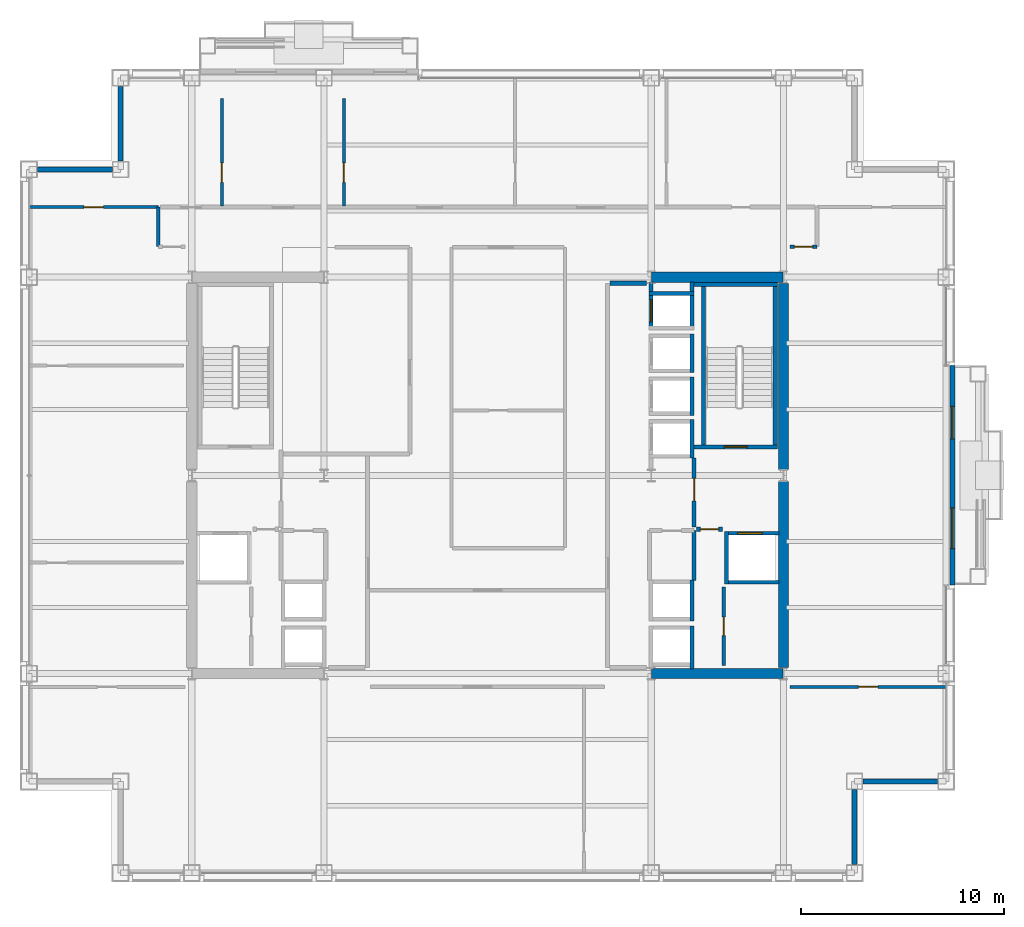
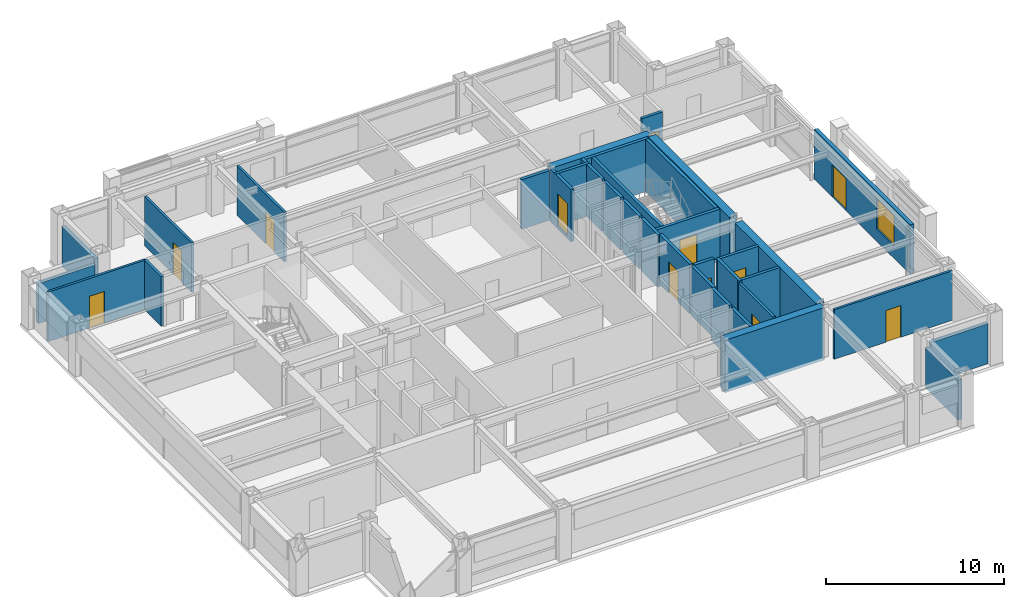
# One storey, part 26 of 29: 35 walls, 12 doors, 1 window, 13 openings.
"""IFC4 building model written with IfcOpenShell, lengths in metres."""

from ifc_helpers import new_model, si_unit, direction, frame, frame_2d, origin, place, context, subcontext, project, spatial, rectangle, extrude, material, layer, layer_set, type_object, element, fill, save


model = new_model("IFC4")

# Units and contexts
model_context = context("Model", 3, precision=1e-05, world=origin(), true_north=direction((0.0, 1.0)))
body_context = subcontext(model_context, "Body", "Model", "MODEL_VIEW")
ifc_project = project(units=[si_unit("LENGTHUNIT", "METRE"), si_unit("AREAUNIT", "SQUARE_METRE"), si_unit("VOLUMEUNIT", "CUBIC_METRE"), si_unit("PLANEANGLEUNIT", "RADIAN"), si_unit("MASSUNIT", "GRAM", prefix="KILO")], contexts=[model_context])

# Site, building, storey
site_placement = place(None, origin())
site = spatial("IfcSite", under=ifc_project, at=site_placement, CompositionType="ELEMENT")
building_placement = place(site_placement, origin())
building = spatial("IfcBuilding", under=site, at=building_placement, Name="Brelmoor Portico Tower", CompositionType="ELEMENT")
storey_placement = place(building_placement, frame((0.0, 0.0, 138.60009765625)))
storey = spatial("IfcBuildingStorey", under=building, at=storey_placement, Name="L36", CompositionType="ELEMENT", Elevation=138.60009765625)

# Walls
ifc_material_1 = material(Name="Concrete C60", Category="concrete")
ifc_layer_1 = layer(ifc_material_1, 0.5)
ifc_layer_set_1 = layer_set([ifc_layer_1], Name="Concrete C60")
wall_type_1 = type_object("IfcWallType", Name="WL-CORE-500", PredefinedType="SHEAR", material=ifc_layer_set_1)
for number, where, z_axis, x_axis, name in (
    (1, (8.070068359375, -9.75, -0.2001953125), (0.0, 0.0, 1.0), (1.0, 0.0, 0.0), "L36 EC South Shear Wall"),
    (2, (8.070068359375, 9.75, -0.2001953125), (0.0, 0.0, 1.0), (1.0, 0.0, 0.0), "L36 EC North Shear Wall"),
):
    element("IfcWall", number, at=place(storey_placement, frame(where, z_axis=z_axis, x_axis=x_axis)), inside=storey, type_object=wall_type_1, Name=name, PredefinedType="SHEAR", context=body_context, shape_type="SweptSolid", body=[
        extrude(rectangle(XDim=6.4599609375, YDim=0.5, at=frame_2d((3.22998046875, 0.0))), origin(), (0.0, 0.0, 1.0), 3.60009765625),
    ])
for number, where, z_axis, x_axis, name in (
    (3, (14.550048828125, -9.449951171875, -0.2001953125), (0.0, 0.0, 1.0), (0.0, 1.0, 0.0), "L36 EC Outer South Shear Wall"),
    (4, (14.550048828125, 0.300048828125, -0.2001953125), (0.0, 0.0, 1.0), (0.0, 1.0, 0.0), "L36 EC Outer North Shear Wall"),
):
    element("IfcWall", number, at=place(storey_placement, frame(where, z_axis=z_axis, x_axis=x_axis)), inside=storey, type_object=wall_type_1, Name=name, PredefinedType="SHEAR", context=body_context, shape_type="SweptSolid", body=[
        extrude(rectangle(XDim=9.14990234375, YDim=0.5, at=frame_2d((4.574951171875, 0.0))), origin(), (0.0, 0.0, 1.0), 3.60009765625),
    ])

# Wall, openings, door, window
ifc_material_2 = material(Name="Precast Concrete C40 Insulated Facade Wall", Category="concrete")
ifc_layer_2 = layer(ifc_material_2, 0.25)
ifc_layer_set_2 = layer_set([ifc_layer_2], Name="Precast Concrete C40 Insulated Facade Wall")
wall_type_2 = type_object("IfcWallType", Name="WL-EXT-250", PredefinedType="STANDARD", material=ifc_layer_set_2)
wall_1_placement = place(storey_placement, frame((22.860107421875, -5.39990234375, 0.0), z_axis=(0.0, 0.0, 1.0), x_axis=(0.0, 1.0, 0.0)))
wall_1 = element("IfcWall", 5, at=wall_1_placement, inside=storey, type_object=wall_type_2, Name="L36 Loggia Threshold Wall E-1", PredefinedType="STANDARD", context=body_context, shape_type="SweptSolid", body=[
    extrude(rectangle(XDim=10.7998046875, YDim=0.25, at=frame_2d((5.39990234375, 0.0))), origin(), (0.0, 0.0, 1.0), 3.39990234375),
])
opening_1_placement = place(wall_1_placement, frame((7.199951171875, 0.0, 0.0)))
opening_1 = element("IfcOpeningElement", 6, at=opening_1_placement, cuts=wall_1, Name="Opening D-TB1", PredefinedType="OPENING", context=body_context, shape_type="SweptSolid", body=[
    extrude(rectangle(XDim=1.60009765625, YDim=2.199951171875, at=frame_2d((0.800048828125, 1.10009765625))), frame((0.0, 0.135009765625, 0.0), z_axis=(0.0, -1.0, 0.0), x_axis=(1.0, 0.0, 0.0)), (0.0, 0.0, 1.0), 0.27001953125),
])
opening_2_placement = place(wall_1_placement, frame((1.800048828125, 0.0, 0.85009765625)))
opening_2 = element("IfcOpeningElement", 7, at=opening_2_placement, cuts=wall_1, Name="Opening W-03", PredefinedType="OPENING", context=body_context, shape_type="SweptSolid", body=[
    extrude(rectangle(XDim=2.0, YDim=2.10009765625, at=frame_2d((1.0, 1.050048828125))), frame((0.0, 0.135009765625, 0.0), z_axis=(0.0, -1.0, 0.0), x_axis=(1.0, 0.0, 0.0)), (0.0, 0.0, 1.0), 0.27001953125),
])
ifc_material_3 = material(Name="Double-Leaf Thermally Broken Terrace Door", Category="aluminium")
door_type_1 = type_object("IfcDoorType", Name="DR-BALCONY-1600", OperationType="NOTDEFINED", PredefinedType="DOOR", material=ifc_material_3)
door_1_placement = place(opening_1_placement, origin())
door_1 = element("IfcDoor", 8, at=door_1_placement, inside=storey, type_object=door_type_1, Name="D-1588 L36 Tree Balcony Double Door E", OperationType="DOUBLE_DOOR_SINGLE_SWING", OverallHeight=2.199951171875, OverallWidth=1.60009765625, PredefinedType="DOOR", context=body_context, shape_type="SweptSolid", body=[
    extrude(rectangle(XDim=1.60009765625, YDim=2.199951171875, at=frame_2d((0.800048828125, 1.10009765625))), frame((0.0, 0.02490234375, 0.0), z_axis=(0.0, -1.0, 0.0), x_axis=(1.0, 0.0, 0.0)), (0.0, 0.0, 1.0), 0.050048828125),
])
fill(opening_1, door_1)
ifc_material_4 = material(Name="Thermally Broken Aluminium Low-E Window", Category="aluminium")
window_type = type_object("IfcWindowType", Name="WN-LOGGIA-2000x2100", PartitioningType="SINGLE_PANEL", PredefinedType="WINDOW", material=ifc_material_4)
window_placement = place(opening_2_placement, origin())
window = element("IfcWindow", 9, at=window_placement, inside=storey, type_object=window_type, Name="L36 Loggia Window E", OverallHeight=2.10009765625, OverallWidth=2.0, PartitioningType="SINGLE_PANEL", PredefinedType="WINDOW", context=body_context, shape_type="SweptSolid", body=[
    extrude(rectangle(XDim=2.0, YDim=2.10009765625, at=frame_2d((1.0, 1.050048828125))), frame((0.0, 0.030029296875, 0.0), z_axis=(0.0, -1.0, 0.0), x_axis=(1.0, 0.0, 0.0)), (0.0, 0.0, 1.0), 0.06005859375),
])
fill(opening_2, window)

# Walls
for number, where, z_axis, x_axis, name in (
    (10, (18.4599609375, -15.050048828125, 0.0), (0.0, 0.0, 1.0), (1.0, 0.0, 0.0), "L36 Corner Notch Facade Wall NSEH1"),
    (11, (18.050048828125, -19.139892578125, 0.0), (0.0, 0.0, 1.0), (0.0, 1.0, 0.0), "L36 Corner Notch Facade Wall NSEV1"),
    (12, (-22.139892578125, 15.050048828125, 0.0), (0.0, 0.0, 1.0), (1.0, 0.0, 0.0), "L36 Corner Notch Facade Wall NNWH1"),
    (13, (-18.050048828125, 15.4599609375, 0.0), (0.0, 0.0, 1.0), (0.0, 1.0, 0.0), "L36 Corner Notch Facade Wall NNWV1"),
):
    element("IfcWall", number, at=place(storey_placement, frame(where, z_axis=z_axis, x_axis=x_axis)), inside=storey, type_object=wall_type_2, Name=name, PredefinedType="STANDARD", context=body_context, shape_type="SweptSolid", body=[
        extrude(rectangle(XDim=3.679931640625, YDim=0.25, at=frame_2d((1.83984375, 0.0))), origin(), (0.0, 0.0, 1.0), 2.75),
    ])

# Wall, opening, door
ifc_material_5 = material(Name="Wet-Area Moisture-Resistant Partition", Category="gypsum")
ifc_layer_3 = layer(ifc_material_5, 0.14990234375)
ifc_layer_set_3 = layer_set([ifc_layer_3], Name="Wet-Area Moisture-Resistant Partition")
wall_type_3 = type_object("IfcWallType", Name="WL-PART-150", PredefinedType="PARTITIONING", material=ifc_layer_set_3)
wall_2_placement = place(storey_placement, frame((-13.070068359375, 13.260009765625, 0.0), z_axis=(0.0, 0.0, 1.0), x_axis=(0.0, 1.0, 0.0)))
wall_2 = element("IfcWall", 14, at=wall_2_placement, inside=storey, type_object=wall_type_3, Name="L36 North Suite Partition 1", PredefinedType="PARTITIONING", context=body_context, shape_type="SweptSolid", body=[
    extrude(rectangle(XDim=5.2900390625, YDim=0.14990234375, at=frame_2d((2.64501953125, 0.0))), origin(), (0.0, 0.0, 1.0), 3.39990234375),
])
opening_3_placement = place(wall_2_placement, frame((1.14990234375, 0.0, 0.0)))
opening_3 = element("IfcOpeningElement", 15, at=opening_3_placement, cuts=wall_2, Name="Opening D-IN2", PredefinedType="OPENING", context=body_context, shape_type="SweptSolid", body=[
    extrude(rectangle(XDim=0.9599609375, YDim=2.179931640625, at=frame_2d((0.47998046875, 1.08984375))), frame((0.0, 0.0849609375, 0.0), z_axis=(0.0, -1.0, 0.0), x_axis=(1.0, 0.0, 0.0)), (0.0, 0.0, 1.0), 0.169921875),
])
ifc_material_6 = material(Name="Lacquered Timber Suite Door", Category="wood")
door_type_2 = type_object("IfcDoorType", Name="DR-INT-950", OperationType="NOTDEFINED", PredefinedType="DOOR", material=ifc_material_6)
door_2_placement = place(opening_3_placement, origin())
door_2 = element("IfcDoor", 16, at=door_2_placement, inside=storey, type_object=door_type_2, Name="D-1575 L36 North Suite Connecting Door 1", OperationType="SINGLE_SWING_RIGHT", OverallHeight=2.179931640625, OverallWidth=0.9599609375, PredefinedType="DOOR", context=body_context, shape_type="SweptSolid", body=[
    extrude(rectangle(XDim=0.9599609375, YDim=2.179931640625, at=frame_2d((0.47998046875, 1.08984375))), frame((0.0, 0.02490234375, 0.0), z_axis=(0.0, -1.0, 0.0), x_axis=(1.0, 0.0, 0.0)), (0.0, 0.0, 1.0), 0.050048828125),
])
fill(opening_3, door_2)

wall_3_placement = place(storey_placement, frame((-7.070068359375, 13.260009765625, 0.0), z_axis=(0.0, 0.0, 1.0), x_axis=(0.0, 1.0, 0.0)))
wall_3 = element("IfcWall", 17, at=wall_3_placement, inside=storey, type_object=wall_type_3, Name="L36 North Suite Partition 2", PredefinedType="PARTITIONING", context=body_context, shape_type="SweptSolid", body=[
    extrude(rectangle(XDim=5.2900390625, YDim=0.14990234375, at=frame_2d((2.64501953125, 0.0))), origin(), (0.0, 0.0, 1.0), 3.39990234375),
])
opening_4_placement = place(wall_3_placement, frame((1.14990234375, 0.0, 0.0)))
opening_4 = element("IfcOpeningElement", 18, at=opening_4_placement, cuts=wall_3, Name="Opening D-IN2", PredefinedType="OPENING", context=body_context, shape_type="SweptSolid", body=[
    extrude(rectangle(XDim=0.9599609375, YDim=2.179931640625, at=frame_2d((0.47998046875, 1.08984375))), frame((0.0, 0.0849609375, 0.0), z_axis=(0.0, -1.0, 0.0), x_axis=(1.0, 0.0, 0.0)), (0.0, 0.0, 1.0), 0.169921875),
])
door_3_placement = place(opening_4_placement, origin())
door_3 = element("IfcDoor", 19, at=door_3_placement, inside=storey, type_object=door_type_2, Name="D-1576 L36 North Suite Connecting Door 2", OperationType="SINGLE_SWING_LEFT", OverallHeight=2.179931640625, OverallWidth=0.9599609375, PredefinedType="DOOR", context=body_context, shape_type="SweptSolid", body=[
    extrude(rectangle(XDim=0.9599609375, YDim=2.179931640625, at=frame_2d((0.47998046875, 1.08984375))), frame((0.0, 0.02490234375, 0.0), z_axis=(0.0, -1.0, 0.0), x_axis=(1.0, 0.0, 0.0)), (0.0, 0.0, 1.0), 0.050048828125),
])
fill(opening_4, door_3)

wall_4_placement = place(storey_placement, frame((-22.56005859375, 13.199951171875, 0.0), z_axis=(0.0, 0.0, 1.0), x_axis=(1.0, 0.0, 0.0)))
wall_4 = element("IfcWall", 20, at=wall_4_placement, inside=storey, type_object=wall_type_3, Name="L36 North Wing Closure WL", PredefinedType="PARTITIONING", context=body_context, shape_type="SweptSolid", body=[
    extrude(rectangle(XDim=6.360107421875, YDim=0.14990234375, at=frame_2d((3.18017578125, 0.0))), origin(), (0.0, 0.0, 1.0), 3.39990234375),
])
opening_5_placement = place(wall_4_placement, frame((2.699951171875, 0.0, 0.0)))
opening_5 = element("IfcOpeningElement", 21, at=opening_5_placement, cuts=wall_4, Name="Opening D-IN2", PredefinedType="OPENING", context=body_context, shape_type="SweptSolid", body=[
    extrude(rectangle(XDim=0.9599609375, YDim=2.179931640625, at=frame_2d((0.47998046875, 1.08984375))), frame((0.0, 0.0849609375, 0.0), z_axis=(0.0, -1.0, 0.0), x_axis=(1.0, 0.0, 0.0)), (0.0, 0.0, 1.0), 0.169921875),
])
door_4_placement = place(opening_5_placement, origin())
door_4 = element("IfcDoor", 22, at=door_4_placement, inside=storey, type_object=door_type_2, Name="D-1580 L36 WL Wing North Suite Door", OperationType="SINGLE_SWING_RIGHT", OverallHeight=2.179931640625, OverallWidth=0.9599609375, PredefinedType="DOOR", context=body_context, shape_type="SweptSolid", body=[
    extrude(rectangle(XDim=0.9599609375, YDim=2.179931640625, at=frame_2d((0.47998046875, 1.08984375))), frame((0.0, 0.02490234375, 0.0), z_axis=(0.0, -1.0, 0.0), x_axis=(1.0, 0.0, 0.0)), (0.0, 0.0, 1.0), 0.050048828125),
])
fill(opening_5, door_4)

wall_5_placement = place(storey_placement, frame((14.8798828125, -10.39990234375, 0.0), z_axis=(0.0, 0.0, 1.0), x_axis=(1.0, 0.0, 0.0)))
wall_5 = element("IfcWall", 23, at=wall_5_placement, inside=storey, type_object=wall_type_3, Name="L36 South Wing Closure ER", PredefinedType="PARTITIONING", context=body_context, shape_type="SweptSolid", body=[
    extrude(rectangle(XDim=7.68017578125, YDim=0.14990234375, at=frame_2d((3.840087890625, 0.0))), origin(), (0.0, 0.0, 1.0), 3.39990234375),
])
opening_6_placement = place(wall_5_placement, frame((3.360107421875, 0.0, 0.0)))
opening_6 = element("IfcOpeningElement", 24, at=opening_6_placement, cuts=wall_5, Name="Opening D-IN2", PredefinedType="OPENING", context=body_context, shape_type="SweptSolid", body=[
    extrude(rectangle(XDim=0.9599609375, YDim=2.179931640625, at=frame_2d((0.47998046875, 1.08984375))), frame((0.0, 0.0849609375, 0.0), z_axis=(0.0, -1.0, 0.0), x_axis=(1.0, 0.0, 0.0)), (0.0, 0.0, 1.0), 0.169921875),
])
door_5_placement = place(opening_6_placement, origin())
door_5 = element("IfcDoor", 25, at=door_5_placement, inside=storey, type_object=door_type_2, Name="D-1586 L36 ER Wing South Suite Door", OperationType="SINGLE_SWING_RIGHT", OverallHeight=2.179931640625, OverallWidth=0.9599609375, PredefinedType="DOOR", context=body_context, shape_type="SweptSolid", body=[
    extrude(rectangle(XDim=0.9599609375, YDim=2.179931640625, at=frame_2d((0.47998046875, 1.08984375))), frame((0.0, 0.02490234375, 0.0), z_axis=(0.0, -1.0, 0.0), x_axis=(1.0, 0.0, 0.0)), (0.0, 0.0, 1.0), 0.050048828125),
])
fill(opening_6, door_5)

ifc_material_7 = material(Name="Twin-Frame Acoustic Partition", Category="gypsum")
ifc_layer_4 = layer(ifc_material_7, 0.159912109375)
ifc_layer_set_4 = layer_set([ifc_layer_4], Name="Twin-Frame Acoustic Partition")
wall_type_4 = type_object("IfcWallType", Name="WL-PART-160", PredefinedType="PARTITIONING", material=ifc_layer_set_4)
wall_6_placement = place(storey_placement, frame((11.6201171875, -9.35009765625, 0.0), z_axis=(0.0, 0.0, 1.0), x_axis=(0.0, 1.0, 0.0)))
wall_6 = element("IfcWall", 26, at=wall_6_placement, inside=storey, type_object=wall_type_4, Name="L36 E Core Service Front Wall", PredefinedType="PARTITIONING", context=body_context, shape_type="SweptSolid", body=[
    extrude(rectangle(XDim=3.85009765625, YDim=0.159912109375, at=frame_2d((1.925048828125, 0.0))), origin(), (0.0, 0.0, 1.0), 3.39990234375),
])
opening_7_placement = place(wall_6_placement, frame((1.47509765625, 0.0, 0.0)))
opening_7 = element("IfcOpeningElement", 27, at=opening_7_placement, cuts=wall_6, Name="Opening D-IN1", PredefinedType="OPENING", context=body_context, shape_type="SweptSolid", body=[
    extrude(rectangle(XDim=0.89990234375, YDim=2.14990234375, at=frame_2d((0.449951171875, 1.074951171875))), frame((0.0, 0.08984375, 0.0), z_axis=(0.0, -1.0, 0.0), x_axis=(1.0, 0.0, 0.0)), (0.0, 0.0, 1.0), 0.179931640625),
])
door_type_3 = type_object("IfcDoorType", Name="DR-INT-900", OperationType="NOTDEFINED", PredefinedType="DOOR", material=ifc_material_6)
door_6_placement = place(opening_7_placement, origin())
door_6 = element("IfcDoor", 28, at=door_6_placement, inside=storey, type_object=door_type_3, Name="D-1560 L36 E Male WC Door", OperationType="SINGLE_SWING_RIGHT", OverallHeight=2.14990234375, OverallWidth=0.89990234375, PredefinedType="DOOR", context=body_context, shape_type="SweptSolid", body=[
    extrude(rectangle(XDim=0.89990234375, YDim=2.14990234375, at=frame_2d((0.449951171875, 1.074951171875))), frame((0.0, 0.02490234375, 0.0), z_axis=(0.0, -1.0, 0.0), x_axis=(1.0, 0.0, 0.0)), (0.0, 0.0, 1.0), 0.050048828125),
])
fill(opening_7, door_6)

# Wall
ifc_material_8 = material(Name="Acoustic Corridor Fire Partition", Category="gypsum")
ifc_layer_5 = layer(ifc_material_8, 0.179931640625)
ifc_layer_set_5 = layer_set([ifc_layer_5], Name="Acoustic Corridor Fire Partition")
wall_type_5 = type_object("IfcWallType", Name="WL-PART-180", PredefinedType="PARTITIONING", material=ifc_layer_set_5)
wall_7_placement = place(storey_placement, frame((-16.199951171875, 11.25, 0.0), z_axis=(0.0, 0.0, 1.0), x_axis=(0.0, 1.0, 0.0)))
element("IfcWall", 29, at=wall_7_placement, inside=storey, type_object=wall_type_5, Name="L36 W Corridor End Closure", PredefinedType="PARTITIONING", context=body_context, shape_type="SweptSolid", body=[
    extrude(rectangle(XDim=1.949951171875, YDim=0.179931640625, at=frame_2d((0.97509765625, 0.0))), origin(), (0.0, 0.0, 1.0), 3.39990234375),
])

# Wall, opening, door
wall_8_placement = place(storey_placement, frame((14.8798828125, 11.25, 0.0), z_axis=(0.0, 0.0, 1.0), x_axis=(1.0, 0.0, 0.0)))
wall_8 = element("IfcWall", 30, at=wall_8_placement, inside=storey, type_object=wall_type_5, Name="L36 E Wing North Entry Wall", PredefinedType="PARTITIONING", context=body_context, shape_type="SweptSolid", body=[
    extrude(rectangle(XDim=1.320068359375, YDim=0.179931640625, at=frame_2d((0.66015625, 0.0))), origin(), (0.0, 0.0, 1.0), 3.39990234375),
])
opening_8_placement = place(wall_8_placement, frame((0.2099609375, 0.0, 0.0)))
opening_8 = element("IfcOpeningElement", 31, at=opening_8_placement, cuts=wall_8, Name="Opening D-IN1", PredefinedType="OPENING", context=body_context, shape_type="SweptSolid", body=[
    extrude(rectangle(XDim=0.89990234375, YDim=2.14990234375, at=frame_2d((0.449951171875, 1.074951171875))), frame((0.0, 0.099853515625, 0.0), z_axis=(0.0, -1.0, 0.0), x_axis=(1.0, 0.0, 0.0)), (0.0, 0.0, 1.0), 0.199951171875),
])
door_7_placement = place(opening_8_placement, origin())
door_7 = element("IfcDoor", 32, at=door_7_placement, inside=storey, type_object=door_type_3, Name="D-1590 L36 E Wing Entry Door", OperationType="SINGLE_SWING_RIGHT", OverallHeight=2.14990234375, OverallWidth=0.89990234375, PredefinedType="DOOR", context=body_context, shape_type="SweptSolid", body=[
    extrude(rectangle(XDim=0.89990234375, YDim=2.14990234375, at=frame_2d((0.449951171875, 1.074951171875))), frame((0.0, 0.02490234375, 0.0), z_axis=(0.0, -1.0, 0.0), x_axis=(1.0, 0.0, 0.0)), (0.0, 0.0, 1.0), 0.050048828125),
])
fill(opening_8, door_7)

# Wall
ifc_material_9 = material(Name="Double-Stud Gypsum Fire Partition", Category="gypsum")
ifc_layer_6 = layer(ifc_material_9, 0.199951171875)
ifc_layer_set_6 = layer_set([ifc_layer_6], Name="Double-Stud Gypsum Fire Partition")
wall_type_6 = type_object("IfcWallType", Name="WL-PART-200", PredefinedType="PARTITIONING", material=ifc_layer_set_6)
wall_9_placement = place(storey_placement, frame((6.02001953125, 9.449951171875, 0.0), z_axis=(0.0, 0.0, 1.0), x_axis=(1.0, 0.0, 0.0)))
element("IfcWall", 33, at=wall_9_placement, inside=storey, type_object=wall_type_6, Name="L36 E Lift Lobby North End Wall", PredefinedType="PARTITIONING", context=body_context, shape_type="SweptSolid", body=[
    extrude(rectangle(XDim=1.800048828125, YDim=0.199951171875, at=frame_2d((0.89990234375, 0.0))), origin(), (0.0, 0.0, 1.0), 3.39990234375),
])

# Wall, opening, door
wall_10_placement = place(storey_placement, frame((10.159912109375, -2.550048828125, 0.0), z_axis=(0.0, 0.0, 1.0), x_axis=(0.0, 1.0, 0.0)))
wall_10 = element("IfcWall", 34, at=wall_10_placement, inside=storey, type_object=wall_type_6, Name="L36 E Firefighting Lobby Wall", PredefinedType="PARTITIONING", context=body_context, shape_type="SweptSolid", body=[
    extrude(rectangle(XDim=3.400146484375, YDim=0.199951171875, at=frame_2d((1.7001953125, 0.0))), origin(), (0.0, 0.0, 1.0), 3.39990234375),
])
opening_9_placement = place(wall_10_placement, frame((1.300048828125, 0.0, 0.0)))
opening_9 = element("IfcOpeningElement", 35, at=opening_9_placement, cuts=wall_10, Name="Opening D-FR1", PredefinedType="OPENING", context=body_context, shape_type="SweptSolid", body=[
    extrude(rectangle(XDim=1.10009765625, YDim=2.14990234375, at=frame_2d((0.550048828125, 1.074951171875))), frame((0.0, 0.10986328125, 0.0), z_axis=(0.0, -1.0, 0.0), x_axis=(1.0, 0.0, 0.0)), (0.0, 0.0, 1.0), 0.219970703125),
])
ifc_material_10 = material(Name="Painted Galvanised Steel Fire Door", Category="steel")
door_type_4 = type_object("IfcDoorType", Name="DR-FIRE-1100", OperationType="NOTDEFINED", PredefinedType="DOOR", material=ifc_material_10)
door_8_placement = place(opening_9_placement, origin())
door_8 = element("IfcDoor", 36, at=door_8_placement, inside=storey, type_object=door_type_4, Name="D-1566 L36 E Firefighting Lobby Door", OperationType="SINGLE_SWING_LEFT", OverallHeight=2.14990234375, OverallWidth=1.10009765625, PredefinedType="DOOR", context=body_context, shape_type="SweptSolid", body=[
    extrude(rectangle(XDim=1.10009765625, YDim=2.14990234375, at=frame_2d((0.550048828125, 1.074951171875))), frame((0.0, 0.02490234375, 0.0), z_axis=(0.0, -1.0, 0.0), x_axis=(1.0, 0.0, 0.0)), (0.0, 0.0, 1.0), 0.050048828125),
])
fill(opening_9, door_8)

wall_11_placement = place(storey_placement, frame((10.280029296875, -2.64990234375, 0.0), z_axis=(0.0, 0.0, 1.0), x_axis=(1.0, 0.0, 0.0)))
wall_11 = element("IfcWall", 37, at=wall_11_placement, inside=storey, type_object=wall_type_6, Name="L36 E Firefighting Lobby South Wall", PredefinedType="PARTITIONING", context=body_context, shape_type="SweptSolid", body=[
    extrude(rectangle(XDim=1.27001953125, YDim=0.199951171875, at=frame_2d((0.635009765625, 0.0))), origin(), (0.0, 0.0, 1.0), 3.39990234375),
])
opening_10_placement = place(wall_11_placement, frame((0.18505859375, 0.0, 0.0)))
opening_10 = element("IfcOpeningElement", 38, at=opening_10_placement, cuts=wall_11, Name="Opening D-IN1", PredefinedType="OPENING", context=body_context, shape_type="SweptSolid", body=[
    extrude(rectangle(XDim=0.89990234375, YDim=2.14990234375, at=frame_2d((0.449951171875, 1.074951171875))), frame((0.0, 0.10986328125, 0.0), z_axis=(0.0, -1.0, 0.0), x_axis=(1.0, 0.0, 0.0)), (0.0, 0.0, 1.0), 0.219970703125),
])
door_9_placement = place(opening_10_placement, origin())
door_9 = element("IfcDoor", 39, at=door_9_placement, inside=storey, type_object=door_type_3, Name="D-1561 L36 E Core Service Vestibule Door", OperationType="SINGLE_SWING_RIGHT", OverallHeight=2.14990234375, OverallWidth=0.89990234375, PredefinedType="DOOR", context=body_context, shape_type="SweptSolid", body=[
    extrude(rectangle(XDim=0.89990234375, YDim=2.14990234375, at=frame_2d((0.449951171875, 1.074951171875))), frame((0.0, 0.02490234375, 0.0), z_axis=(0.0, -1.0, 0.0), x_axis=(1.0, 0.0, 0.0)), (0.0, 0.0, 1.0), 0.050048828125),
])
fill(opening_10, door_9)

# Walls
wall_12_placement = place(storey_placement, frame((10.159912109375, -5.159912109375, 0.0), z_axis=(0.0, 0.0, 1.0), x_axis=(0.0, 1.0, 0.0)))
element("IfcWall", 40, at=wall_12_placement, inside=storey, type_object=wall_type_6, Name="L36 E Electrical Switchgear Closet Outer Wall", PredefinedType="PARTITIONING", context=body_context, shape_type="SweptSolid", body=[
    extrude(rectangle(XDim=2.43994140625, YDim=0.199951171875, at=frame_2d((1.219970703125, 0.0))), origin(), (0.0, 0.0, 1.0), 3.39990234375),
])
ifc_material_11 = material(Name="Precast Concrete C40", Category="concrete")
ifc_layer_7 = layer(ifc_material_11, 0.18994140625)
ifc_layer_set_7 = layer_set([ifc_layer_7], Name="Precast Concrete C40")
wall_type_7 = type_object("IfcWallType", Name="WL-SHAFT-180", PredefinedType="SOLIDWALL", material=ifc_layer_set_7)
wall_13_placement = place(storey_placement, frame((10.054931640625, 0.85009765625, -0.2001953125), z_axis=(0.0, 0.0, 1.0), x_axis=(0.0, 1.0, 0.0)))
element("IfcWall", 41, at=wall_13_placement, inside=storey, type_object=wall_type_7, Name="L36 Lift PM1 Hoistway Back Wall", PredefinedType="SOLIDWALL", context=body_context, shape_type="SweptSolid", body=[
    extrude(rectangle(XDim=1.89990234375, YDim=0.18994140625, at=frame_2d((0.949951171875, 0.0))), origin(), (0.0, 0.0, 1.0), 3.60009765625),
])
wall_14_placement = place(storey_placement, frame((10.054931640625, 2.949951171875, -0.2001953125), z_axis=(0.0, 0.0, 1.0), x_axis=(0.0, 1.0, 0.0)))
element("IfcWall", 42, at=wall_14_placement, inside=storey, type_object=wall_type_7, Name="L36 Lift PM2 Hoistway Back Wall", PredefinedType="SOLIDWALL", context=body_context, shape_type="SweptSolid", body=[
    extrude(rectangle(XDim=1.900146484375, YDim=0.18994140625, at=frame_2d((0.9501953125, 0.0))), origin(), (0.0, 0.0, 1.0), 3.60009765625),
])
wall_15_placement = place(storey_placement, frame((10.054931640625, 5.050048828125, -0.2001953125), z_axis=(0.0, 0.0, 1.0), x_axis=(0.0, 1.0, 0.0)))
element("IfcWall", 43, at=wall_15_placement, inside=storey, type_object=wall_type_7, Name="L36 Lift PM3 Hoistway Back Wall", PredefinedType="SOLIDWALL", context=body_context, shape_type="SweptSolid", body=[
    extrude(rectangle(XDim=1.89990234375, YDim=0.18994140625, at=frame_2d((0.949951171875, 0.0))), origin(), (0.0, 0.0, 1.0), 3.60009765625),
])

# Wall, opening, door
wall_16_placement = place(storey_placement, frame((8.044921875, 7.14990234375, -0.2001953125), z_axis=(0.0, 0.0, 1.0), x_axis=(0.0, 1.0, 0.0)))
wall_16 = element("IfcWall", 44, at=wall_16_placement, inside=storey, type_object=wall_type_7, Name="L36 Lift PM4 Hoistway Front Wall", PredefinedType="SOLIDWALL", context=body_context, shape_type="SweptSolid", body=[
    extrude(rectangle(XDim=2.3701171875, YDim=0.18994140625, at=frame_2d((1.18505859375, 0.0))), origin(), (0.0, 0.0, 1.0), 3.60009765625),
])
opening_11_placement = place(wall_16_placement, frame((0.39990234375, 0.0, 0.199951171875)))
opening_11 = element("IfcOpeningElement", 45, at=opening_11_placement, cuts=wall_16, Name="Opening LD-01", PredefinedType="OPENING", context=body_context, shape_type="SweptSolid", body=[
    extrude(rectangle(XDim=1.10009765625, YDim=2.199951171875, at=frame_2d((0.550048828125, 1.10009765625))), frame((0.0, 0.10498046875, 0.0), z_axis=(0.0, -1.0, 0.0), x_axis=(1.0, 0.0, 0.0)), (0.0, 0.0, 1.0), 0.2099609375),
])
ifc_material_12 = material(Name="Brushed Stainless Steel Sliding Lift Door", Category="steel")
door_type_5 = type_object("IfcDoorType", Name="DR-LIFT-1100", OperationType="NOTDEFINED", PredefinedType="DOOR", material=ifc_material_12)
door_10_placement = place(opening_11_placement, origin())
door_10 = element("IfcDoor", 46, at=door_10_placement, inside=storey, type_object=door_type_5, Name="D-1599 L36 Lift PM4 Sliding Landing Door", OperationType="SLIDING_TO_LEFT", OverallHeight=2.199951171875, OverallWidth=1.10009765625, PredefinedType="DOOR", context=body_context, shape_type="SweptSolid", body=[
    extrude(rectangle(XDim=1.10009765625, YDim=2.199951171875, at=frame_2d((0.550048828125, 1.10009765625))), frame((0.0, 0.02490234375, 0.0), z_axis=(0.0, -1.0, 0.0), x_axis=(1.0, 0.0, 0.0)), (0.0, 0.0, 1.0), 0.050048828125),
])
fill(opening_11, door_10)

# Walls
wall_17_placement = place(storey_placement, frame((10.054931640625, 7.14990234375, -0.2001953125), z_axis=(0.0, 0.0, 1.0), x_axis=(0.0, 1.0, 0.0)))
element("IfcWall", 47, at=wall_17_placement, inside=storey, type_object=wall_type_7, Name="L36 Lift PM4 Hoistway Back Wall", PredefinedType="SOLIDWALL", context=body_context, shape_type="SweptSolid", body=[
    extrude(rectangle(XDim=2.3701171875, YDim=0.18994140625, at=frame_2d((1.18505859375, 0.0))), origin(), (0.0, 0.0, 1.0), 3.60009765625),
])
wall_18_placement = place(storey_placement, frame((7.949951171875, 8.955078125, -0.2001953125), z_axis=(0.0, 0.0, 1.0), x_axis=(1.0, 0.0, 0.0)))
element("IfcWall", 48, at=wall_18_placement, inside=storey, type_object=wall_type_7, Name="L36 Lift PM4 Hoistway North Wall", PredefinedType="SOLIDWALL", context=body_context, shape_type="SweptSolid", body=[
    extrude(rectangle(XDim=2.199951171875, YDim=0.18994140625, at=frame_2d((1.10009765625, 0.0))), origin(), (0.0, 0.0, 1.0), 3.60009765625),
])
wall_19_placement = place(storey_placement, frame((10.054931640625, -9.52001953125, -0.2001953125), z_axis=(0.0, 0.0, 1.0), x_axis=(0.0, 1.0, 0.0)))
element("IfcWall", 49, at=wall_19_placement, inside=storey, type_object=wall_type_7, Name="L36 Lift PH3 Hoistway Back Wall", PredefinedType="SOLIDWALL", context=body_context, shape_type="SweptSolid", body=[
    extrude(rectangle(XDim=2.1201171875, YDim=0.18994140625, at=frame_2d((1.06005859375, 0.0))), origin(), (0.0, 0.0, 1.0), 3.60009765625),
])
wall_20_placement = place(storey_placement, frame((10.054931640625, -7.14990234375, -0.2001953125), z_axis=(0.0, 0.0, 1.0), x_axis=(0.0, 1.0, 0.0)))
element("IfcWall", 50, at=wall_20_placement, inside=storey, type_object=wall_type_7, Name="L36 Lift PH4 Hoistway Back Wall", PredefinedType="SOLIDWALL", context=body_context, shape_type="SweptSolid", body=[
    extrude(rectangle(XDim=2.0, YDim=0.18994140625, at=frame_2d((1.0, 0.0))), origin(), (0.0, 0.0, 1.0), 3.60009765625),
])

# Wall, opening, door
wall_21_placement = place(storey_placement, frame((11.64990234375, -2.844970703125, -0.2001953125), z_axis=(0.0, 0.0, 1.0), x_axis=(1.0, 0.0, 0.0)))
wall_21 = element("IfcWall", 51, at=wall_21_placement, inside=storey, type_object=wall_type_7, Name="L36 Lift FF2 Hoistway Front Wall", PredefinedType="SOLIDWALL", context=body_context, shape_type="SweptSolid", body=[
    extrude(rectangle(XDim=2.68017578125, YDim=0.18994140625, at=frame_2d((1.340087890625, 0.0))), origin(), (0.0, 0.0, 1.0), 3.60009765625),
])
opening_12_placement = place(wall_21_placement, frame((0.64990234375, 0.0, 0.199951171875)))
opening_12 = element("IfcOpeningElement", 52, at=opening_12_placement, cuts=wall_21, Name="Opening LD-02", PredefinedType="OPENING", context=body_context, shape_type="SweptSolid", body=[
    extrude(rectangle(XDim=1.199951171875, YDim=2.199951171875, at=frame_2d((0.60009765625, 1.10009765625))), frame((0.0, 0.10498046875, 0.0), z_axis=(0.0, -1.0, 0.0), x_axis=(1.0, 0.0, 0.0)), (0.0, 0.0, 1.0), 0.2099609375),
])
ifc_material_13 = material(Name="Brushed Stainless Steel Firefighting Lift Door", Category="steel")
door_type_6 = type_object("IfcDoorType", Name="DR-LIFT-1200", OperationType="NOTDEFINED", PredefinedType="DOOR", material=ifc_material_13)
door_11_placement = place(opening_12_placement, origin())
door_11 = element("IfcDoor", 53, at=door_11_placement, inside=storey, type_object=door_type_6, Name="D-1595 L36 Lift FF2 Sliding Landing Door", OperationType="SLIDING_TO_LEFT", OverallHeight=2.199951171875, OverallWidth=1.199951171875, PredefinedType="DOOR", context=body_context, shape_type="SweptSolid", body=[
    extrude(rectangle(XDim=1.199951171875, YDim=2.199951171875, at=frame_2d((0.60009765625, 1.10009765625))), frame((0.0, 0.02490234375, 0.0), z_axis=(0.0, -1.0, 0.0), x_axis=(1.0, 0.0, 0.0)), (0.0, 0.0, 1.0), 0.050048828125),
])
fill(opening_12, door_11)

# Walls
wall_22_placement = place(storey_placement, frame((11.64990234375, -5.2548828125, -0.2001953125), z_axis=(0.0, 0.0, 1.0), x_axis=(1.0, 0.0, 0.0)))
element("IfcWall", 54, at=wall_22_placement, inside=storey, type_object=wall_type_7, Name="L36 Firefighting Lift FF2 South Wall", PredefinedType="SOLIDWALL", context=body_context, shape_type="SweptSolid", body=[
    extrude(rectangle(XDim=2.68017578125, YDim=0.18994140625, at=frame_2d((1.340087890625, 0.0))), origin(), (0.0, 0.0, 1.0), 3.60009765625),
])
wall_23_placement = place(storey_placement, frame((11.7451171875, -5.35009765625, -0.2001953125), z_axis=(0.0, 0.0, 1.0), x_axis=(0.0, 1.0, 0.0)))
element("IfcWall", 55, at=wall_23_placement, inside=storey, type_object=wall_type_7, Name="L36 Firefighting Lift FF2 Inner Wall", PredefinedType="SOLIDWALL", context=body_context, shape_type="SweptSolid", body=[
    extrude(rectangle(XDim=2.60009765625, YDim=0.18994140625, at=frame_2d((1.300048828125, 0.0))), origin(), (0.0, 0.0, 1.0), 3.60009765625),
])
ifc_material_14 = material(Name="Concrete C40", Category="concrete")
ifc_layer_8 = layer(ifc_material_14, 0.199951171875)
ifc_layer_set_8 = layer_set([ifc_layer_8], Name="Concrete C40")
wall_type_8 = type_object("IfcWallType", Name="WL-SHAFT-RC200", PredefinedType="SOLIDWALL", material=ifc_layer_set_8)
wall_24_placement = place(storey_placement, frame((14.14990234375, 1.5, -0.2001953125), z_axis=(0.0, 0.0, 1.0), x_axis=(0.0, 1.0, 0.0)))
element("IfcWall", 56, at=wall_24_placement, inside=storey, type_object=wall_type_8, Name="L36 ST-E Structural Stair Wall Outer", PredefinedType="SOLIDWALL", context=body_context, shape_type="SweptSolid", body=[
    extrude(rectangle(XDim=7.800048828125, YDim=0.199951171875, at=frame_2d((3.89990234375, 0.0))), origin(), (0.0, 0.0, 1.0), 3.60009765625),
])

# Wall, opening, door
wall_25_placement = place(storey_placement, frame((10.14990234375, 1.39990234375, -0.2001953125), z_axis=(0.0, 0.0, 1.0), x_axis=(1.0, 0.0, 0.0)))
wall_25 = element("IfcWall", 57, at=wall_25_placement, inside=storey, type_object=wall_type_8, Name="L36 ST-E Structural Stair Wall S", PredefinedType="SOLIDWALL", context=body_context, shape_type="SweptSolid", body=[
    extrude(rectangle(XDim=4.10009765625, YDim=0.199951171875, at=frame_2d((2.050048828125, 0.0))), origin(), (0.0, 0.0, 1.0), 3.60009765625),
])
opening_13_placement = place(wall_25_placement, frame((1.5, 0.0, 0.199951171875)))
opening_13 = element("IfcOpeningElement", 58, at=opening_13_placement, cuts=wall_25, Name="Opening D-ST1", PredefinedType="OPENING", context=body_context, shape_type="SweptSolid", body=[
    extrude(rectangle(XDim=1.1201171875, YDim=2.179931640625, at=frame_2d((0.56005859375, 1.08984375))), frame((0.0, 0.10986328125, 0.0), z_axis=(0.0, -1.0, 0.0), x_axis=(1.0, 0.0, 0.0)), (0.0, 0.0, 1.0), 0.219970703125),
])
door_type_7 = type_object("IfcDoorType", Name="DR-STAIR-1100", OperationType="NOTDEFINED", PredefinedType="DOOR", material=ifc_material_10)
door_12_placement = place(opening_13_placement, origin())
door_12 = element("IfcDoor", 59, at=door_12_placement, inside=storey, type_object=door_type_7, Name="D-1584 L36 ST-E Protected Exit Stair Door", OperationType="SINGLE_SWING_RIGHT", OverallHeight=2.179931640625, OverallWidth=1.1201171875, PredefinedType="DOOR", context=body_context, shape_type="SweptSolid", body=[
    extrude(rectangle(XDim=1.1201171875, YDim=2.179931640625, at=frame_2d((0.56005859375, 1.08984375))), frame((0.0, 0.02490234375, 0.0), z_axis=(0.0, -1.0, 0.0), x_axis=(1.0, 0.0, 0.0)), (0.0, 0.0, 1.0), 0.050048828125),
])
fill(opening_13, door_12)

# Walls
wall_26_placement = place(storey_placement, frame((10.14990234375, 9.39990234375, -0.2001953125), z_axis=(0.0, 0.0, 1.0), x_axis=(1.0, 0.0, 0.0)))
element("IfcWall", 60, at=wall_26_placement, inside=storey, type_object=wall_type_8, Name="L36 ST-E Structural Stair Wall N", PredefinedType="SOLIDWALL", context=body_context, shape_type="SweptSolid", body=[
    extrude(rectangle(XDim=4.10009765625, YDim=0.199951171875, at=frame_2d((2.050048828125, 0.0))), origin(), (0.0, 0.0, 1.0), 3.60009765625),
])
wall_27_placement = place(storey_placement, frame((10.6298828125, 1.5, -0.2001953125), z_axis=(0.0, 0.0, 1.0), x_axis=(0.0, 1.0, 0.0)))
element("IfcWall", 61, at=wall_27_placement, inside=storey, type_object=wall_type_8, Name="L36 ST-E Structural Stair Wall Inner", PredefinedType="SOLIDWALL", context=body_context, shape_type="SweptSolid", body=[
    extrude(rectangle(XDim=7.800048828125, YDim=0.199951171875, at=frame_2d((3.89990234375, 0.0))), origin(), (0.0, 0.0, 1.0), 3.60009765625),
])

save(model, "model.ifc")
